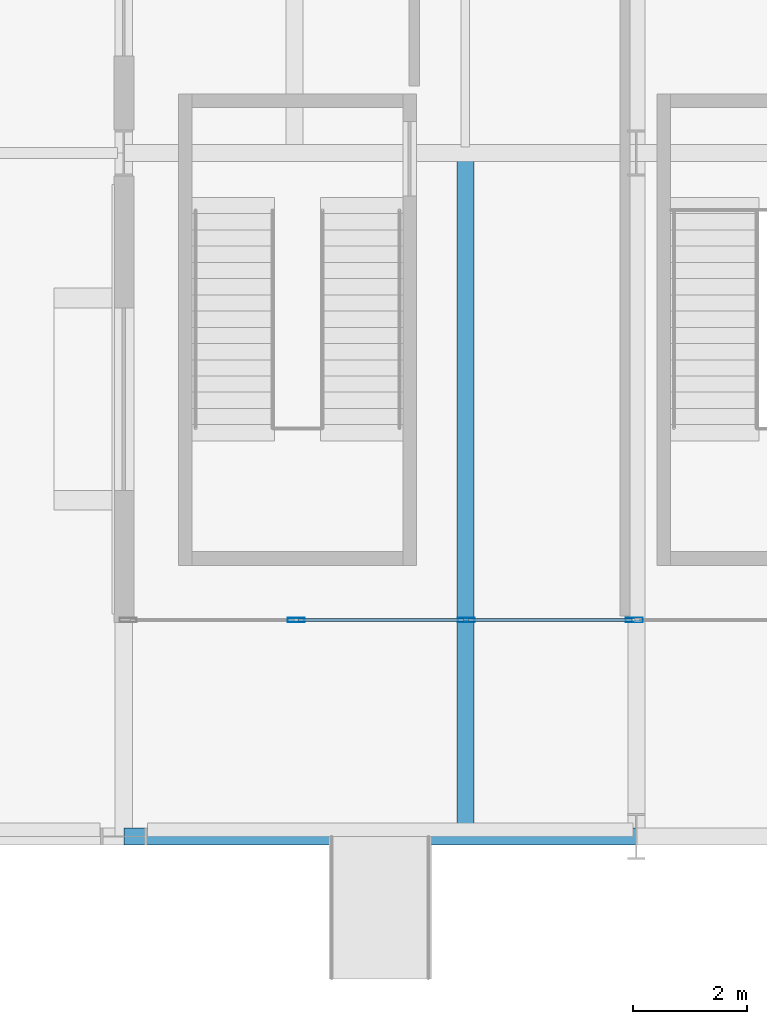
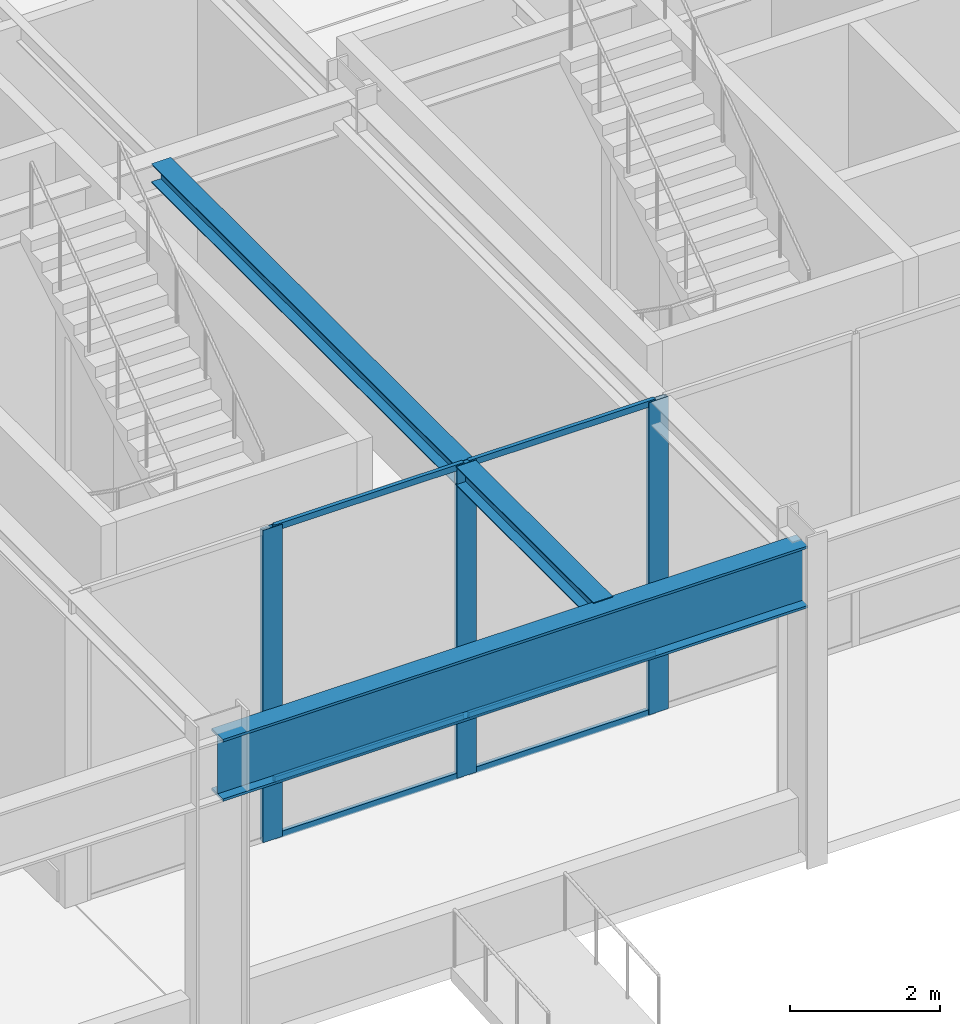
# One storey, part 20 of 143: 9 members, 2 beams, 1 element without a shape of its own.
"""IFC4 building model written with IfcOpenShell, lengths in metres."""

from ifc_helpers import new_model, si_unit, direction, frame, origin, origin_2d, place, context, subcontext, project, spatial, hollow_rectangle, i_section, extrude, material, layer, layer_set, material_profile, profile_set, type_object, element, aggregate, save


model = new_model("IFC4")

# Units and contexts
model_context = context("Model", 3, precision=1e-05, world=origin(), true_north=direction((0.0, 1.0)))
body_context = subcontext(model_context, "Body", "Model", "MODEL_VIEW")
ifc_project = project(units=[si_unit("LENGTHUNIT", "METRE"), si_unit("AREAUNIT", "SQUARE_METRE"), si_unit("VOLUMEUNIT", "CUBIC_METRE"), si_unit("PLANEANGLEUNIT", "RADIAN"), si_unit("MASSUNIT", "GRAM", prefix="KILO")], contexts=[model_context])

# Site, building, storey
site_placement = place(None, origin())
site = spatial("IfcSite", under=ifc_project, at=site_placement, CompositionType="ELEMENT")
building_placement = place(site_placement, origin())
building = spatial("IfcBuilding", under=site, at=building_placement, Name="Montelvaro Courts of Justice", CompositionType="ELEMENT")
storey_placement = place(building_placement, origin())
storey = spatial("IfcBuildingStorey", under=building, at=storey_placement, Name="L00", CompositionType="ELEMENT", Elevation=0.0)

# Beams
ifc_material_1 = material(Name="Steel S355", Category="steel")
ifc_material_profile_1 = material_profile(ifc_material_1, i_section(OverallWidth=0.300048828125, OverallDepth=0.31005859375, WebThickness=0.009033203125, FlangeThickness=0.015380859375, at=origin_2d()), Name="HEA 320")
ifc_profile_set_1 = profile_set([ifc_material_profile_1], Name="Steel S355")
beam_type_1 = type_object("IfcBeamType", Name="Beam_HEA320", PredefinedType="BEAM", material=ifc_profile_set_1)
beam_1_placement = place(storey_placement, frame((51.0, 0.110107421875, 4.925048828125), z_axis=(0.0, 1.0, 0.0), x_axis=(-1.0, 0.0, 0.0)))
element("IfcBeam", 1, at=beam_1_placement, inside=storey, type_object=beam_type_1, Name="Beam B-15 L00", PredefinedType="BEAM", context=body_context, shape_type="SweptSolid", body=[
    extrude(i_section(OverallWidth=0.300048828125, OverallDepth=0.31005859375, WebThickness=0.009033203125, FlangeThickness=0.015380859375, at=origin_2d()), origin(), (0.0, 0.0, 1.0), 11.77978515625),
])
ifc_material_profile_2 = material_profile(ifc_material_1, i_section(OverallWidth=0.302001953125, OverallDepth=1.008056640625, WebThickness=0.02099609375, FlangeThickness=0.0400390625, at=origin_2d()), Name="HEM 1000")
ifc_profile_set_2 = profile_set([ifc_material_profile_2], Name="Steel S355")
beam_type_2 = type_object("IfcBeamType", Name="Beam_HEM1000", PredefinedType="USERDEFINED", material=ifc_profile_set_2)
beam_2_placement = place(storey_placement, frame((54.0, 0.0, 4.555908203125), z_axis=(-1.0, 0.0, 0.0), x_axis=(0.0, -1.0, 0.0)))
element("IfcBeam", 2, at=beam_2_placement, inside=storey, type_object=beam_type_2, Name="Pratt Cantilever Truss Chord CTR-BAR1-S-L01-BS3", ObjectType="GIRDER", PredefinedType="USERDEFINED", context=body_context, shape_type="SweptSolid", body=[
    extrude(i_section(OverallWidth=0.302001953125, OverallDepth=1.008056640625, WebThickness=0.02099609375, FlangeThickness=0.0400390625, at=origin_2d()), origin(), (0.0, 0.0, 1.0), 9.0),
])

# Curtain wall, members
ifc_material_2 = material(Name="Anodised aluminium EN AW-6063", Category="aluminium")
ifc_layer = layer(ifc_material_2, 0.159912109375)
ifc_layer_set = layer_set([ifc_layer], Name="Anodised aluminium EN AW-6063")
curtain_wall_type = type_object("IfcCurtainWallType", Name="CurtainWall_10_896x508", PredefinedType="USERDEFINED", material=ifc_layer_set)
curtain_wall_placement = place(storey_placement, origin())
curtain_wall = element("IfcCurtainWall", 3, at=curtain_wall_placement, inside=storey, type_object=curtain_wall_type, Name="Curtain Wall CW-10 (L00)", ObjectType="CURTAIN WALL", PredefinedType="USERDEFINED")
ifc_material_profile_3 = material_profile(ifc_material_2, hollow_rectangle(XDim=0.074951171875, YDim=0.300048828125, WallThickness=0.006103515625, at=origin_2d()), Name="ALU-M 75x300")
ifc_profile_set_3 = profile_set([ifc_material_profile_3], Name="Anodised aluminium EN AW-6063")
member_type_1 = type_object("IfcMemberType", Name="CurtainWall_Mullion_75x300", PredefinedType="MULLION", material=ifc_profile_set_3)
member_1_placement = place(storey_placement, frame((48.026611328125, 3.800048828125, 0.0), z_axis=(0.0, 0.0, 1.0), x_axis=(0.0, 1.0, 0.0)))
member_1 = element("IfcMember", 4, at=member_1_placement, type_object=member_type_1, Name="CW-10 mullion 2", PredefinedType="MULLION", context=body_context, shape_type="SweptSolid", body=[
    extrude(hollow_rectangle(XDim=0.074951171875, YDim=0.300048828125, WallThickness=0.006103515625, at=origin_2d()), origin(), (0.0, 0.0, 1.0), 5.080078125),
])
member_2_placement = place(storey_placement, frame((51.013427734375, 3.800048828125, 0.0), z_axis=(0.0, 0.0, 1.0), x_axis=(0.0, 1.0, 0.0)))
member_2 = element("IfcMember", 5, at=member_2_placement, type_object=member_type_1, Name="CW-10 mullion 3", PredefinedType="MULLION", context=body_context, shape_type="SweptSolid", body=[
    extrude(hollow_rectangle(XDim=0.074951171875, YDim=0.300048828125, WallThickness=0.006103515625, at=origin_2d()), origin(), (0.0, 0.0, 1.0), 5.080078125),
])
member_3_placement = place(storey_placement, frame((53.96240234375, 3.800048828125, 0.0), z_axis=(0.0, 0.0, 1.0), x_axis=(0.0, 1.0, 0.0)))
member_3 = element("IfcMember", 6, at=member_3_placement, type_object=member_type_1, Name="CW-10 mullion 4", PredefinedType="MULLION", context=body_context, shape_type="SweptSolid", body=[
    extrude(hollow_rectangle(XDim=0.074951171875, YDim=0.300048828125, WallThickness=0.006103515625, at=origin_2d()), origin(), (0.0, 0.0, 1.0), 5.080078125),
])
ifc_material_profile_4 = material_profile(ifc_material_2, hollow_rectangle(XDim=0.06005859375, YDim=0.10009765625, WallThickness=0.00341796875, at=origin_2d()), Name="ALU-T 60x100")
ifc_profile_set_4 = profile_set([ifc_material_profile_4], Name="Anodised aluminium EN AW-6063")
member_type_2 = type_object("IfcMemberType", Name="CurtainWall_Transom_60x100", PredefinedType="USERDEFINED", material=ifc_profile_set_4)
member_4_placement = place(storey_placement, frame((48.064208984375, 3.800048828125, 0.030029296875), z_axis=(1.0, 0.0, 0.0), x_axis=(0.0, 1.0, 0.0)))
member_4 = element("IfcMember", 7, at=member_4_placement, type_object=member_type_2, Name="CW-10 transom 2.1", ObjectType="TRANSOM", PredefinedType="USERDEFINED", context=body_context, shape_type="SweptSolid", body=[
    extrude(hollow_rectangle(XDim=0.06005859375, YDim=0.10009765625, WallThickness=0.00341796875, at=origin_2d()), origin(), (0.0, 0.0, 1.0), 2.91162109375),
])
member_5_placement = place(storey_placement, frame((48.064208984375, 3.800048828125, 0.949951171875), z_axis=(1.0, 0.0, 0.0), x_axis=(0.0, 1.0, 0.0)))
member_5 = element("IfcMember", 8, at=member_5_placement, type_object=member_type_2, Name="CW-10 transom 2.2", ObjectType="TRANSOM", PredefinedType="USERDEFINED", context=body_context, shape_type="SweptSolid", body=[
    extrude(hollow_rectangle(XDim=0.06005859375, YDim=0.10009765625, WallThickness=0.00341796875, at=origin_2d()), origin(), (0.0, 0.0, 1.0), 2.91162109375),
])
member_6_placement = place(storey_placement, frame((48.064208984375, 3.800048828125, 5.050048828125), z_axis=(1.0, 0.0, 0.0), x_axis=(0.0, 1.0, 0.0)))
member_6 = element("IfcMember", 9, at=member_6_placement, type_object=member_type_2, Name="CW-10 transom 2.3", ObjectType="TRANSOM", PredefinedType="USERDEFINED", context=body_context, shape_type="SweptSolid", body=[
    extrude(hollow_rectangle(XDim=0.06005859375, YDim=0.10009765625, WallThickness=0.00341796875, at=origin_2d()), origin(), (0.0, 0.0, 1.0), 2.91162109375),
])
member_7_placement = place(storey_placement, frame((51.05078125, 3.800048828125, 0.030029296875), z_axis=(1.0, 0.0, 0.0), x_axis=(0.0, 1.0, 0.0)))
member_7 = element("IfcMember", 10, at=member_7_placement, type_object=member_type_2, Name="CW-10 transom 3.1", ObjectType="TRANSOM", PredefinedType="USERDEFINED", context=body_context, shape_type="SweptSolid", body=[
    extrude(hollow_rectangle(XDim=0.06005859375, YDim=0.10009765625, WallThickness=0.00341796875, at=origin_2d()), origin(), (0.0, 0.0, 1.0), 2.874267578125),
])
member_8_placement = place(storey_placement, frame((51.05078125, 3.800048828125, 0.949951171875), z_axis=(1.0, 0.0, 0.0), x_axis=(0.0, 1.0, 0.0)))
member_8 = element("IfcMember", 11, at=member_8_placement, type_object=member_type_2, Name="CW-10 transom 3.2", ObjectType="TRANSOM", PredefinedType="USERDEFINED", context=body_context, shape_type="SweptSolid", body=[
    extrude(hollow_rectangle(XDim=0.06005859375, YDim=0.10009765625, WallThickness=0.00341796875, at=origin_2d()), origin(), (0.0, 0.0, 1.0), 2.874267578125),
])
member_9_placement = place(storey_placement, frame((51.05078125, 3.800048828125, 5.050048828125), z_axis=(1.0, 0.0, 0.0), x_axis=(0.0, 1.0, 0.0)))
member_9 = element("IfcMember", 12, at=member_9_placement, type_object=member_type_2, Name="CW-10 transom 3.3", ObjectType="TRANSOM", PredefinedType="USERDEFINED", context=body_context, shape_type="SweptSolid", body=[
    extrude(hollow_rectangle(XDim=0.06005859375, YDim=0.10009765625, WallThickness=0.00341796875, at=origin_2d()), origin(), (0.0, 0.0, 1.0), 2.874267578125),
])
aggregate(curtain_wall, [member_1, member_2, member_3, member_4, member_5, member_6, member_7, member_8, member_9])

save(model, "model.ifc")
